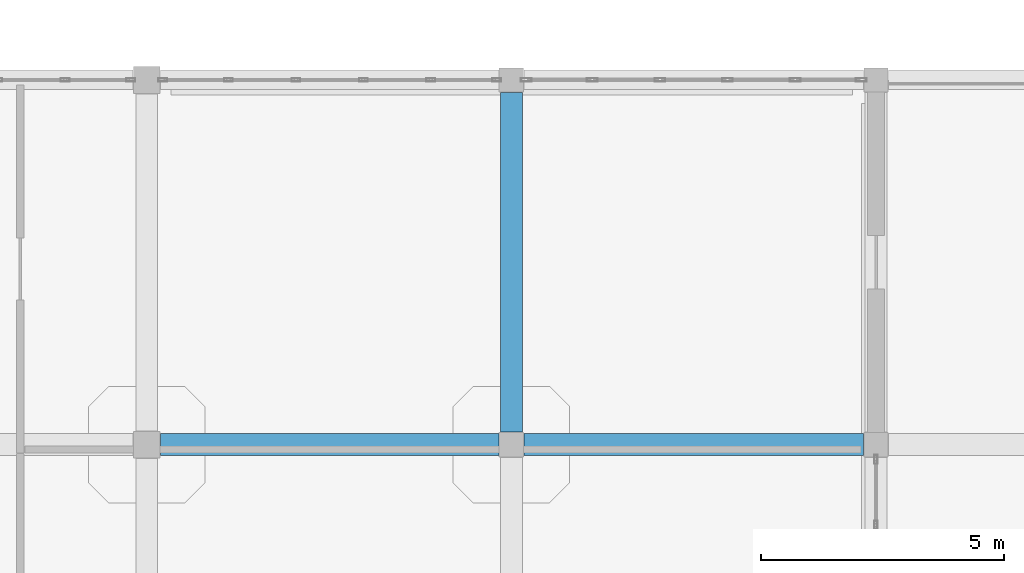
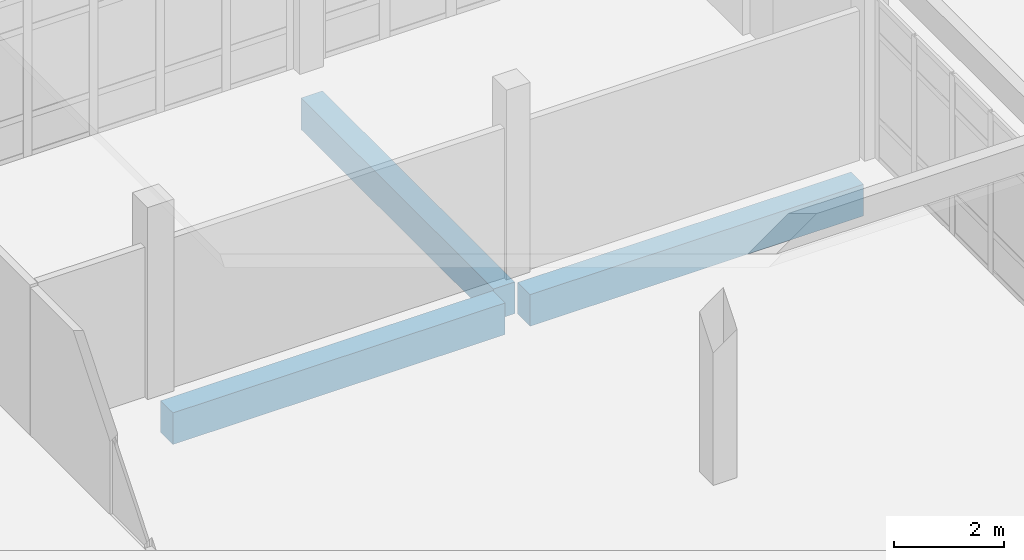
# One storey, part 68 of 164: 3 beams.
"""IFC4 building model written with IfcOpenShell, lengths in metres."""

from ifc_helpers import new_model, si_unit, direction, frame, origin, origin_2d, place, context, subcontext, project, spatial, rectangle, extrude, material, material_profile, profile_set, type_object, element, save


model = new_model("IFC4")

# Units and contexts
model_context = context("Model", 3, precision=1e-05, world=origin(), true_north=direction((0.0, 1.0)))
body_context = subcontext(model_context, "Body", "Model", "MODEL_VIEW")
ifc_project = project(units=[si_unit("LENGTHUNIT", "METRE"), si_unit("AREAUNIT", "SQUARE_METRE"), si_unit("VOLUMEUNIT", "CUBIC_METRE"), si_unit("PLANEANGLEUNIT", "RADIAN"), si_unit("MASSUNIT", "GRAM", prefix="KILO")], contexts=[model_context])

# Site, building, storey
site_placement = place(None, origin())
site = spatial("IfcSite", under=ifc_project, at=site_placement, CompositionType="ELEMENT")
building_placement = place(site_placement, origin())
building = spatial("IfcBuilding", under=site, at=building_placement, Name="Mawjan Specialist Oncology Clinic", CompositionType="ELEMENT")
storey_placement = place(building_placement, frame((0.0, 0.0, 5.0)))
storey = spatial("IfcBuildingStorey", under=building, at=storey_placement, Name="L01", CompositionType="ELEMENT", Elevation=5.0)

# Beams
ifc_material = material(Name="Concrete C40/50", Category="concrete")
ifc_material_profile = material_profile(ifc_material, rectangle(XDim=0.449951171875, YDim=0.699951171875, at=origin_2d()), Name="RC BM 450x700", Category="concrete")
ifc_profile_set = profile_set([ifc_material_profile], Name="Concrete C40/50")
beam_type = type_object("IfcBeamType", Name="BM-450x700", PredefinedType="BEAM", material=ifc_profile_set)
beam_placement = place(storey_placement, frame((15.284912109375, 68.300048828125, -0.8701171875), z_axis=(1.0, 0.0, 0.0), x_axis=(0.0, 1.0, 0.0)))
element("IfcBeam", 1, at=beam_placement, inside=storey, type_object=beam_type, Name="L01 Collector Beam BM-L01-0305", PredefinedType="BEAM", context=body_context, shape_type="SweptSolid", body=[
    extrude(rectangle(XDim=0.449951171875, YDim=0.699951171875, at=origin_2d()), origin(), (0.0, 0.0, 1.0), 6.955078125),
])
for number, where, z_axis, x_axis, name in (
    (2, (22.760009765625, 68.300048828125, -0.8701171875), (1.0, 0.0, 0.0), (0.0, 1.0, 0.0), "L01 Collector Beam BM-L01-0306"),
    (3, (22.5, 68.56005859375, -0.8701171875), (0.0, 1.0, 0.0), (-1.0, 0.0, 0.0), "L01 Collector Beam BM-L01-0451"),
):
    element("IfcBeam", number, at=place(storey_placement, frame(where, z_axis=z_axis, x_axis=x_axis)), inside=storey, type_object=beam_type, Name=name, PredefinedType="BEAM", context=body_context, shape_type="SweptSolid", body=[
        extrude(rectangle(XDim=0.449951171875, YDim=0.699951171875, at=origin_2d()), origin(), (0.0, 0.0, 1.0), 6.97998046875),
    ])

save(model, "model.ifc")
